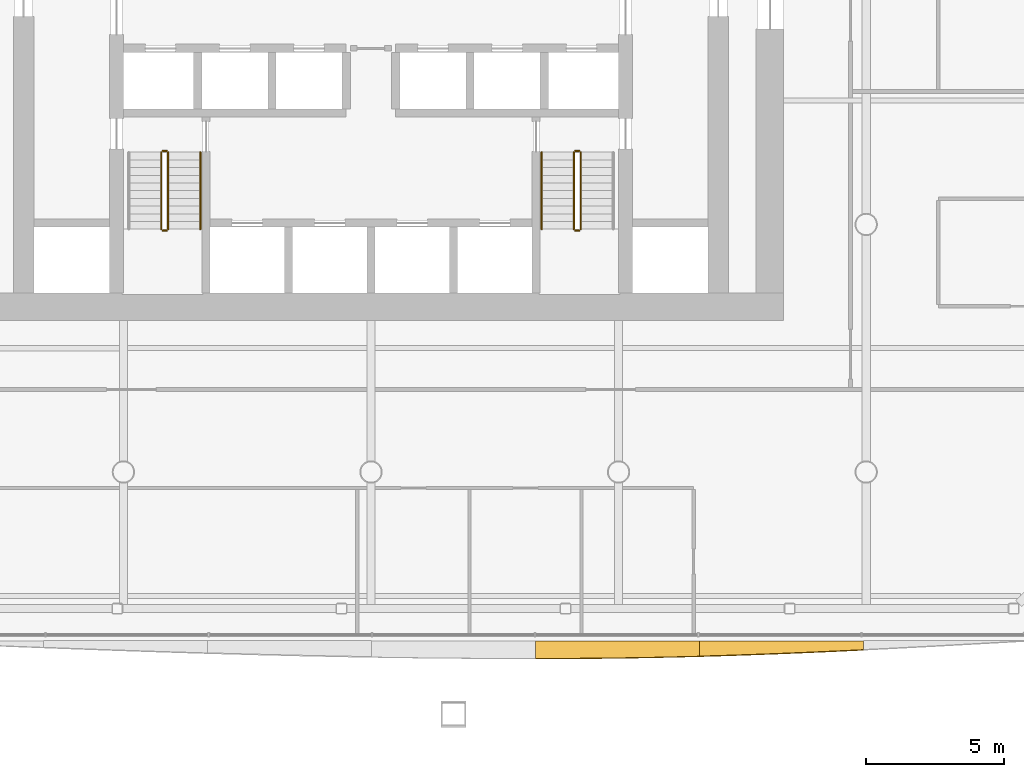
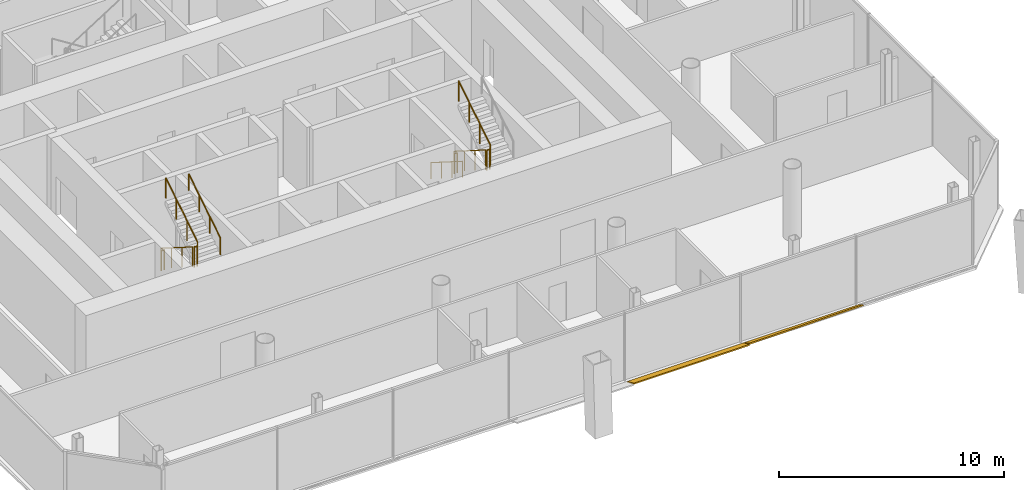
# One storey, part 16 of 19: 10 railings, 2 shading devices.
"""IFC4 building model written with IfcOpenShell, lengths in metres."""

from ifc_helpers import new_model, si_unit, direction, frame, origin, origin_2d, place, context, subcontext, project, spatial, polyline, circle, outline, extrude, material, layer, layer_set, type_object, element, save


model = new_model("IFC4")

# Units and contexts
model_context = context("Model", 3, precision=1e-05, world=origin(), true_north=direction((0.0, 1.0)))
body_context = subcontext(model_context, "Body", "Model", "MODEL_VIEW")
ifc_project = project(units=[si_unit("LENGTHUNIT", "METRE"), si_unit("AREAUNIT", "SQUARE_METRE"), si_unit("VOLUMEUNIT", "CUBIC_METRE"), si_unit("PLANEANGLEUNIT", "RADIAN"), si_unit("MASSUNIT", "GRAM", prefix="KILO")], contexts=[model_context])

# Site, building, storey
site_placement = place(None, origin())
site = spatial("IfcSite", under=ifc_project, at=site_placement, CompositionType="ELEMENT")
building_placement = place(site_placement, origin())
building = spatial("IfcBuilding", under=site, at=building_placement, Name="Tskaro Facet Tower", CompositionType="ELEMENT")
storey_placement = place(building_placement, frame((0.0, 0.0, 101.10009765625)))
storey = spatial("IfcBuildingStorey", under=building, at=storey_placement, Name="L24", CompositionType="ELEMENT", Elevation=101.10009765625)

# Shading devices
ifc_material_1 = material(Name="Bronze anodised aluminium 6063-T6", Category="aluminium")
ifc_layer = layer(ifc_material_1, 0.06005859375, Name="Bronze anodised aluminium 6063-T6")
ifc_layer_set = layer_set([ifc_layer], Name="Bronze anodised aluminium 6063-T6")
shading_device_type = type_object("IfcShadingDeviceType", Name="Bronze sun blade (FN1)", PredefinedType="USERDEFINED", material=ifc_layer_set)
shading_device_1_placement = place(storey_placement, frame((5.980224609375, -24.1396484375, 0.05419921875), z_axis=(7.798577e-06, 0.422769061651, 0.906237452575), x_axis=(0.99999999997, -3.296997e-06, -7.067362e-06)))
element("IfcShadingDevice", 1, at=shading_device_1_placement, inside=storey, type_object=shading_device_type, Name="Fin blade south 5", ObjectType="FIN", PredefinedType="USERDEFINED", context=body_context, shape_type="SweptSolid", body=[
    extrude(outline(polyline([(0.0, 0.0), (5.9602050779437565, 0.0), (5.960205078595625, -0.6123078454906407), (5.215087890061975, -0.6333842557896092), (4.47021484353609, -0.6519533461711596), (3.7250976561581237, -0.6675726178791386), (2.9799804685530686, -0.680242070913546), (2.235107422266417, -0.6896372407933595), (1.4899902342071845, -0.696407056480624), (0.7448730468413627, -0.6999025890132944), (0.2741699217401079, -0.7004483028723933), (-1.2655490916258416e-10, -0.7004483028723933), (0.0, 0.0)])), origin(), (0.0, 0.0, -1.0), 0.06005859375),
])
shading_device_2_placement = place(storey_placement, frame((11.9404296875, -24.135009765625, 0.0517578125), z_axis=(-7.274152e-06, 0.500163303824, 0.865931099716), x_axis=(0.999999999974, 3.638264e-06, 6.298914e-06)))
element("IfcShadingDevice", 2, at=shading_device_2_placement, inside=storey, type_object=shading_device_type, Name="Fin blade south 6", ObjectType="FIN", PredefinedType="USERDEFINED", context=body_context, shape_type="SweptSolid", body=[
    extrude(outline(polyline([(0.0, 0.0), (5.960205077967313, 0.0), (5.960205079075952, -0.3716849675243018), (5.215332031713404, -0.4128079309237582), (4.470214842904067, -0.45217399983742823), (3.725097656587252, -0.4894824665271185), (2.9802246094240616, -0.5247005195895245), (2.2351074219410045, -0.5574053411048517), (1.4899902338748285, -0.5878083400329974), (0.7451171867387729, -0.6156981074140644), (1.7109943667798636e-10, -0.6408632342881557), (0.0, 0.0)])), origin(), (0.0, 0.0, -1.0), 0.06005859375),
])

# Railings
ifc_material_2 = material(Name="Stainless steel", Category="steel")
railing_type_1 = type_object("IfcRailingType", Name="RL-GUARD-1100", PredefinedType="GUARDRAIL", material=ifc_material_2)
railing_1_placement = place(storey_placement, frame((-7.625, -6.375, 0.17724609375)))
element("IfcRailing", 3, at=railing_1_placement, inside=storey, type_object=railing_type_1, Name="L24 ST-1 stair guard 1", PredefinedType="GUARDRAIL", context=body_context, shape_type="SweptSolid", body=[
    extrude(circle(Radius=0.02392578125, at=origin_2d()), frame((0.0, 0.0, 1.076171875), z_axis=(0.0, -0.844908973607, 0.534910110503), x_axis=(1.0, 0.0, 0.0)), (0.0, 0.0, 1.0), 3.31396484375),
    extrude(circle(Radius=0.02099609375, at=origin_2d()), origin(), (0.0, 0.0, 1.0), 1.052001953125),
    extrude(circle(Radius=0.02099609375, at=origin_2d()), frame((0.0, -0.933349609375, 0.5908203125)), (0.0, 0.0, 1.0), 1.052001953125),
    extrude(circle(Radius=0.02099609375, at=origin_2d()), frame((0.0, -1.86669921875, 1.181884765625)), (0.0, 0.0, 1.0), 1.052001953125),
    extrude(circle(Radius=0.02099609375, at=origin_2d()), frame((0.0, -2.800048828125, 1.772705078125)), (0.0, 0.0, 1.0), 1.052001953125),
])
railing_2_placement = place(storey_placement, frame((-7.574951171875, -9.22509765625, 1.949951171875)))
element("IfcRailing", 4, at=railing_2_placement, inside=storey, type_object=railing_type_1, Name="L24 ST-1 stair guard 2", PredefinedType="GUARDRAIL", context=body_context, shape_type="SweptSolid", body=[
    extrude(circle(Radius=0.02392578125, at=origin_2d()), frame((0.0, 0.0, 1.076171875), z_axis=(1.0, 0.0, 0.0), x_axis=(0.0, 1.0, 0.0)), (0.0, 0.0, 1.0), 0.14990234375),
    extrude(circle(Radius=0.02099609375, at=origin_2d()), origin(), (0.0, 0.0, 1.0), 1.052001953125),
    extrude(circle(Radius=0.02099609375, at=origin_2d()), frame((0.14990234375, 0.0, 0.0)), (0.0, 0.0, 1.0), 1.052001953125),
])
railing_3_placement = place(storey_placement, frame((-7.375, -9.175048828125, 2.127197265625)))
element("IfcRailing", 5, at=railing_3_placement, inside=storey, type_object=railing_type_1, Name="L24 ST-1 stair guard 3", PredefinedType="GUARDRAIL", context=body_context, shape_type="SweptSolid", body=[
    extrude(circle(Radius=0.02392578125, at=origin_2d()), frame((0.0, 0.0, 1.076171875), z_axis=(0.0, 0.844908973607, 0.534910110503), x_axis=(-1.0, 0.0, 0.0)), (0.0, 0.0, 1.0), 3.31396484375),
    extrude(circle(Radius=0.02099609375, at=origin_2d()), origin(), (0.0, 0.0, 1.0), 1.052001953125),
    extrude(circle(Radius=0.02099609375, at=origin_2d()), frame((0.0, 0.933349609375, 0.5908203125)), (0.0, 0.0, 1.0), 1.052001953125),
    extrude(circle(Radius=0.02099609375, at=origin_2d()), frame((0.0, 1.86669921875, 1.181884765625)), (0.0, 0.0, 1.0), 1.052001953125),
    extrude(circle(Radius=0.02099609375, at=origin_2d()), frame((0.0, 2.800048828125, 1.772705078125)), (0.0, 0.0, 1.0), 1.052001953125),
])
railing_4_placement = place(storey_placement, frame((-7.574951171875, -6.324951171875, 0.0)))
element("IfcRailing", 6, at=railing_4_placement, inside=storey, type_object=railing_type_1, Name="L24 ST-1 stair guard 4", PredefinedType="GUARDRAIL", context=body_context, shape_type="SweptSolid", body=[
    extrude(circle(Radius=0.02392578125, at=origin_2d()), frame((0.0, 0.0, 1.076171875), z_axis=(1.0, 0.0, 0.0), x_axis=(0.0, 1.0, 0.0)), (0.0, 0.0, 1.0), 0.14990234375),
    extrude(circle(Radius=0.02099609375, at=origin_2d()), origin(), (0.0, 0.0, 1.0), 1.052001953125),
    extrude(circle(Radius=0.02099609375, at=origin_2d()), frame((0.14990234375, 0.0, 0.0)), (0.0, 0.0, 1.0), 1.052001953125),
])
railing_5_placement = place(storey_placement, frame((7.375, -6.375, 0.17724609375)))
element("IfcRailing", 7, at=railing_5_placement, inside=storey, type_object=railing_type_1, Name="L24 ST-2 stair guard 1", PredefinedType="GUARDRAIL", context=body_context, shape_type="SweptSolid", body=[
    extrude(circle(Radius=0.02392578125, at=origin_2d()), frame((0.0, 0.0, 1.076171875), z_axis=(0.0, -0.844908973607, 0.534910110503), x_axis=(1.0, 0.0, 0.0)), (0.0, 0.0, 1.0), 3.31396484375),
    extrude(circle(Radius=0.02099609375, at=origin_2d()), origin(), (0.0, 0.0, 1.0), 1.052001953125),
    extrude(circle(Radius=0.02099609375, at=origin_2d()), frame((0.0, -0.933349609375, 0.5908203125)), (0.0, 0.0, 1.0), 1.052001953125),
    extrude(circle(Radius=0.02099609375, at=origin_2d()), frame((0.0, -1.86669921875, 1.181884765625)), (0.0, 0.0, 1.0), 1.052001953125),
    extrude(circle(Radius=0.02099609375, at=origin_2d()), frame((0.0, -2.800048828125, 1.772705078125)), (0.0, 0.0, 1.0), 1.052001953125),
])
railing_6_placement = place(storey_placement, frame((7.425048828125, -9.22509765625, 1.949951171875)))
element("IfcRailing", 8, at=railing_6_placement, inside=storey, type_object=railing_type_1, Name="L24 ST-2 stair guard 2", PredefinedType="GUARDRAIL", context=body_context, shape_type="SweptSolid", body=[
    extrude(circle(Radius=0.02392578125, at=origin_2d()), frame((0.0, 0.0, 1.076171875), z_axis=(1.0, 0.0, 0.0), x_axis=(0.0, 1.0, 0.0)), (0.0, 0.0, 1.0), 0.14990234375),
    extrude(circle(Radius=0.02099609375, at=origin_2d()), origin(), (0.0, 0.0, 1.0), 1.052001953125),
    extrude(circle(Radius=0.02099609375, at=origin_2d()), frame((0.14990234375, 0.0, 0.0)), (0.0, 0.0, 1.0), 1.052001953125),
])
railing_7_placement = place(storey_placement, frame((7.625, -9.175048828125, 2.127197265625)))
element("IfcRailing", 9, at=railing_7_placement, inside=storey, type_object=railing_type_1, Name="L24 ST-2 stair guard 3", PredefinedType="GUARDRAIL", context=body_context, shape_type="SweptSolid", body=[
    extrude(circle(Radius=0.02392578125, at=origin_2d()), frame((0.0, 0.0, 1.076171875), z_axis=(0.0, 0.844908973607, 0.534910110503), x_axis=(-1.0, 0.0, 0.0)), (0.0, 0.0, 1.0), 3.31396484375),
    extrude(circle(Radius=0.02099609375, at=origin_2d()), origin(), (0.0, 0.0, 1.0), 1.052001953125),
    extrude(circle(Radius=0.02099609375, at=origin_2d()), frame((0.0, 0.933349609375, 0.5908203125)), (0.0, 0.0, 1.0), 1.052001953125),
    extrude(circle(Radius=0.02099609375, at=origin_2d()), frame((0.0, 1.86669921875, 1.181884765625)), (0.0, 0.0, 1.0), 1.052001953125),
    extrude(circle(Radius=0.02099609375, at=origin_2d()), frame((0.0, 2.800048828125, 1.772705078125)), (0.0, 0.0, 1.0), 1.052001953125),
])
railing_8_placement = place(storey_placement, frame((7.425048828125, -6.324951171875, 0.0)))
element("IfcRailing", 10, at=railing_8_placement, inside=storey, type_object=railing_type_1, Name="L24 ST-2 stair guard 4", PredefinedType="GUARDRAIL", context=body_context, shape_type="SweptSolid", body=[
    extrude(circle(Radius=0.02392578125, at=origin_2d()), frame((0.0, 0.0, 1.076171875), z_axis=(1.0, 0.0, 0.0), x_axis=(0.0, 1.0, 0.0)), (0.0, 0.0, 1.0), 0.14990234375),
    extrude(circle(Radius=0.02099609375, at=origin_2d()), origin(), (0.0, 0.0, 1.0), 1.052001953125),
    extrude(circle(Radius=0.02099609375, at=origin_2d()), frame((0.14990234375, 0.0, 0.0)), (0.0, 0.0, 1.0), 1.052001953125),
])
railing_type_2 = type_object("IfcRailingType", Name="RL-HANDRAIL-900", PredefinedType="HANDRAIL", material=ifc_material_2)
railing_9_placement = place(storey_placement, frame((-6.199951171875, -9.175048828125, 2.127197265625)))
element("IfcRailing", 11, at=railing_9_placement, inside=storey, type_object=railing_type_2, Name="L24 ST-1 stair handrail 2", PredefinedType="HANDRAIL", context=body_context, shape_type="SweptSolid", body=[
    extrude(circle(Radius=0.02392578125, at=origin_2d()), frame((0.0, 0.0, 0.8759765625), z_axis=(0.0, 0.844908973607, 0.534910110503), x_axis=(-1.0, 0.0, 0.0)), (0.0, 0.0, 1.0), 3.31396484375),
    extrude(circle(Radius=0.02099609375, at=origin_2d()), origin(), (0.0, 0.0, 1.0), 0.851806640625),
    extrude(circle(Radius=0.02099609375, at=origin_2d()), frame((0.0, 0.933349609375, 0.5908203125)), (0.0, 0.0, 1.0), 0.851806640625),
    extrude(circle(Radius=0.02099609375, at=origin_2d()), frame((0.0, 1.86669921875, 1.181884765625)), (0.0, 0.0, 1.0), 0.851806640625),
    extrude(circle(Radius=0.02099609375, at=origin_2d()), frame((0.0, 2.800048828125, 1.772705078125)), (0.0, 0.0, 1.0), 0.851806640625),
])
railing_10_placement = place(storey_placement, frame((6.199951171875, -6.375, 0.17724609375)))
element("IfcRailing", 12, at=railing_10_placement, inside=storey, type_object=railing_type_2, Name="L24 ST-2 stair handrail 1", PredefinedType="HANDRAIL", context=body_context, shape_type="SweptSolid", body=[
    extrude(circle(Radius=0.02392578125, at=origin_2d()), frame((0.0, 0.0, 0.8759765625), z_axis=(0.0, -0.844908973607, 0.534910110503), x_axis=(1.0, 0.0, 0.0)), (0.0, 0.0, 1.0), 3.31396484375),
    extrude(circle(Radius=0.02099609375, at=origin_2d()), origin(), (0.0, 0.0, 1.0), 0.851806640625),
    extrude(circle(Radius=0.02099609375, at=origin_2d()), frame((0.0, -0.933349609375, 0.5908203125)), (0.0, 0.0, 1.0), 0.851806640625),
    extrude(circle(Radius=0.02099609375, at=origin_2d()), frame((0.0, -1.86669921875, 1.181884765625)), (0.0, 0.0, 1.0), 0.851806640625),
    extrude(circle(Radius=0.02099609375, at=origin_2d()), frame((0.0, -2.800048828125, 1.772705078125)), (0.0, 0.0, 1.0), 0.851806640625),
])

save(model, "model.ifc")
